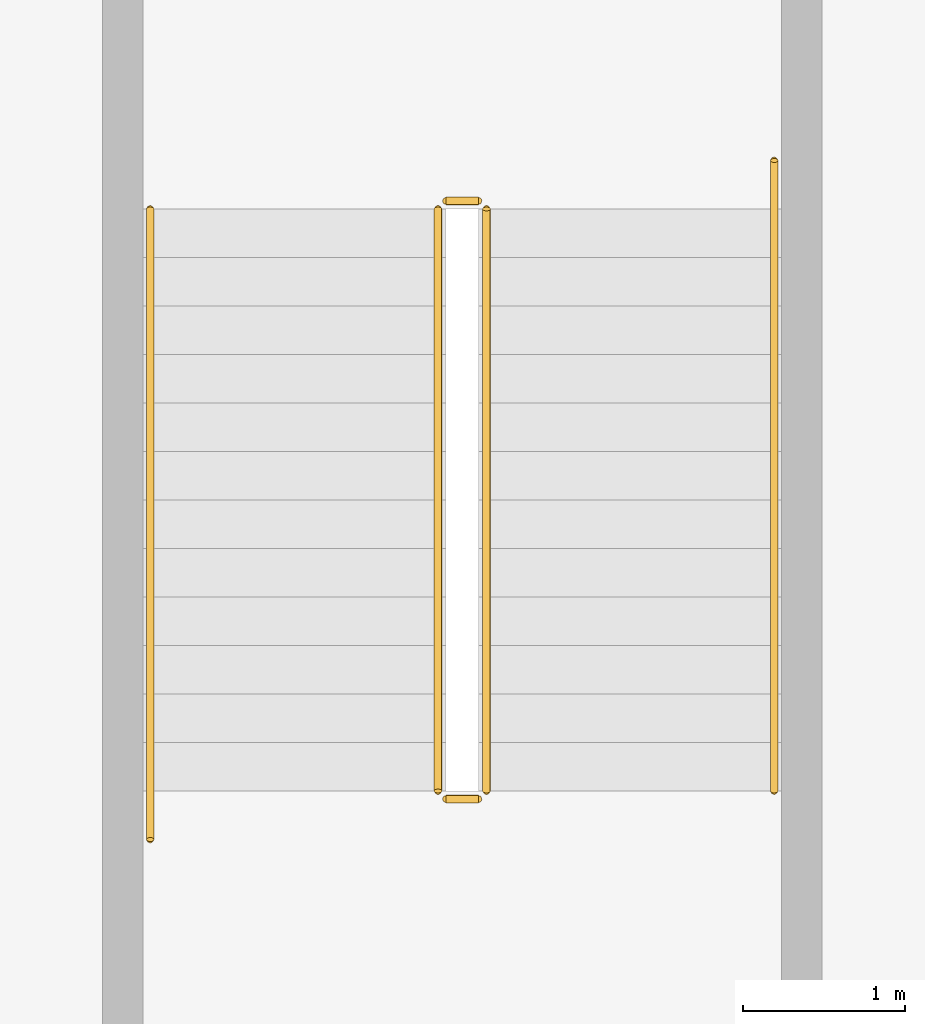
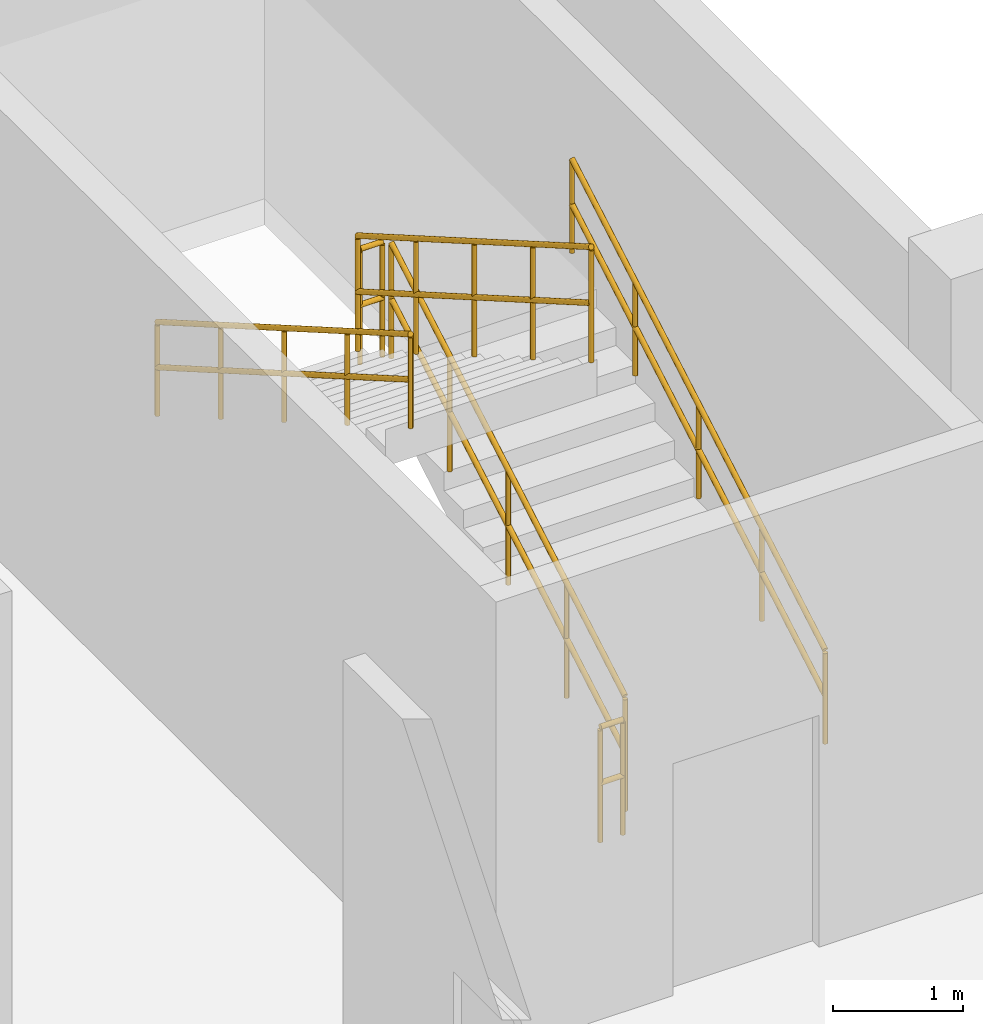
# One storey, part 53 of 54: 6 railings.
"""IFC4 building model written with IfcOpenShell, lengths in metres."""

from ifc_helpers import new_model, si_unit, direction, frame, origin, origin_2d, place, context, subcontext, project, spatial, circle, extrude, material, type_object, element, save


model = new_model("IFC4")

# Units and contexts
model_context = context("Model", 3, precision=1e-05, world=origin(), true_north=direction((0.0, 1.0)))
body_context = subcontext(model_context, "Body", "Model", "MODEL_VIEW")
ifc_project = project(units=[si_unit("LENGTHUNIT", "METRE"), si_unit("AREAUNIT", "SQUARE_METRE"), si_unit("VOLUMEUNIT", "CUBIC_METRE"), si_unit("PLANEANGLEUNIT", "RADIAN"), si_unit("MASSUNIT", "GRAM", prefix="KILO")], contexts=[model_context])

# Site, building, storey
site_placement = place(None, origin())
site = spatial("IfcSite", under=ifc_project, at=site_placement, CompositionType="ELEMENT")
building_placement = place(site_placement, origin())
building = spatial("IfcBuilding", under=site, at=building_placement, Name="Marnock Terrace Opera House", CompositionType="ELEMENT")
storey_placement = place(building_placement, frame((0.0, 0.0, 19.199951171875)))
storey = spatial("IfcBuildingStorey", under=building, at=storey_placement, Name="L04", CompositionType="ELEMENT", Elevation=19.199951171875)

# Railings
ifc_material = material(Name="Architectural bronze balustrade")
railing_type_1 = type_object("IfcRailingType", Name="RL-GUARD-1100", PredefinedType="GUARDRAIL", material=ifc_material)
railing_1_placement = place(storey_placement, frame((105.85009765625, 74.800048828125, 0.173095703125)))
element("IfcRailing", 1, at=railing_1_placement, inside=storey, type_object=railing_type_1, Name="L04 ST-04 stair guard 1", PredefinedType="GUARDRAIL", context=body_context, shape_type="SweptSolid", body=[
    extrude(circle(Radius=0.02392578125, at=origin_2d()), frame((0.0, 0.0, 1.076171875), z_axis=(0.0, 0.866178740119, 0.499734319579), x_axis=(-1.0, 0.0, 0.0)), (0.0, 0.0, 1.0), 4.156005859375),
    extrude(circle(Radius=0.02392578125, at=origin_2d()), frame((0.0, 0.0, 0.550048828125), z_axis=(0.0, 0.866178740119, 0.499734319579), x_axis=(-1.0, 0.0, 0.0)), (0.0, 0.0, 1.0), 4.156005859375),
    extrude(circle(Radius=0.02099609375, at=origin_2d()), origin(), (0.0, 0.0, 1.0), 1.052001953125),
    extrude(circle(Radius=0.02099609375, at=origin_2d()), frame((0.0, 0.89990234375, 0.519287109375)), (0.0, 0.0, 1.0), 1.052001953125),
    extrude(circle(Radius=0.02099609375, at=origin_2d()), frame((0.0, 1.7998046875, 1.03857421875)), (0.0, 0.0, 1.0), 1.052001953125),
    extrude(circle(Radius=0.02099609375, at=origin_2d()), frame((0.0, 2.699951171875, 1.5576171875)), (0.0, 0.0, 1.0), 1.052001953125),
    extrude(circle(Radius=0.02099609375, at=origin_2d()), frame((0.0, 3.599853515625, 2.076904296875)), (0.0, 0.0, 1.0), 1.052001953125),
])
railing_2_placement = place(storey_placement, frame((105.800048828125, 78.449951171875, 2.25)))
element("IfcRailing", 2, at=railing_2_placement, inside=storey, type_object=railing_type_1, Name="L04 ST-04 stair guard 2", PredefinedType="GUARDRAIL", context=body_context, shape_type="SweptSolid", body=[
    extrude(circle(Radius=0.02392578125, at=origin_2d()), frame((0.0, 0.0, 1.076171875), z_axis=(-1.0, 0.0, 0.0), x_axis=(0.0, -1.0, 0.0)), (0.0, 0.0, 1.0), 0.199951171875),
    extrude(circle(Radius=0.02392578125, at=origin_2d()), frame((0.0, 0.0, 0.550048828125), z_axis=(-1.0, 0.0, 0.0), x_axis=(0.0, -1.0, 0.0)), (0.0, 0.0, 1.0), 0.199951171875),
    extrude(circle(Radius=0.02099609375, at=origin_2d()), origin(), (0.0, 0.0, 1.0), 1.052001953125),
    extrude(circle(Radius=0.02099609375, at=origin_2d()), frame((-0.199951171875, 0.0, 0.0)), (0.0, 0.0, 1.0), 1.052001953125),
])
railing_3_placement = place(storey_placement, frame((105.550048828125, 78.39990234375, 2.423095703125)))
element("IfcRailing", 3, at=railing_3_placement, inside=storey, type_object=railing_type_1, Name="L04 ST-04 stair guard 3", PredefinedType="GUARDRAIL", context=body_context, shape_type="SweptSolid", body=[
    extrude(circle(Radius=0.02392578125, at=origin_2d()), frame((0.0, 0.0, 1.076171875), z_axis=(0.0, -0.866178740119, 0.499734319579), x_axis=(1.0, 0.0, 0.0)), (0.0, 0.0, 1.0), 4.156005859375),
    extrude(circle(Radius=0.02392578125, at=origin_2d()), frame((0.0, 0.0, 0.550048828125), z_axis=(0.0, -0.866178740119, 0.499734319579), x_axis=(1.0, 0.0, 0.0)), (0.0, 0.0, 1.0), 4.156005859375),
    extrude(circle(Radius=0.02099609375, at=origin_2d()), origin(), (0.0, 0.0, 1.0), 1.052001953125),
    extrude(circle(Radius=0.02099609375, at=origin_2d()), frame((0.0, -0.89990234375, 0.519287109375)), (0.0, 0.0, 1.0), 1.052001953125),
    extrude(circle(Radius=0.02099609375, at=origin_2d()), frame((0.0, -1.7998046875, 1.03857421875)), (0.0, 0.0, 1.0), 1.052001953125),
    extrude(circle(Radius=0.02099609375, at=origin_2d()), frame((0.0, -2.699951171875, 1.5576171875)), (0.0, 0.0, 1.0), 1.052001953125),
    extrude(circle(Radius=0.02099609375, at=origin_2d()), frame((0.0, -3.599853515625, 2.076904296875)), (0.0, 0.0, 1.0), 1.052001953125),
])
railing_4_placement = place(storey_placement, frame((105.800048828125, 74.75, 0.0)))
element("IfcRailing", 4, at=railing_4_placement, inside=storey, type_object=railing_type_1, Name="L04 ST-04 stair guard 4", PredefinedType="GUARDRAIL", context=body_context, shape_type="SweptSolid", body=[
    extrude(circle(Radius=0.02392578125, at=origin_2d()), frame((0.0, 0.0, 1.076171875), z_axis=(-1.0, 0.0, 0.0), x_axis=(0.0, -1.0, 0.0)), (0.0, 0.0, 1.0), 0.199951171875),
    extrude(circle(Radius=0.02392578125, at=origin_2d()), frame((0.0, 0.0, 0.550048828125), z_axis=(-1.0, 0.0, 0.0), x_axis=(0.0, -1.0, 0.0)), (0.0, 0.0, 1.0), 0.199951171875),
    extrude(circle(Radius=0.02099609375, at=origin_2d()), origin(), (0.0, 0.0, 1.0), 1.052001953125),
    extrude(circle(Radius=0.02099609375, at=origin_2d()), frame((-0.199951171875, 0.0, 0.0)), (0.0, 0.0, 1.0), 1.052001953125),
])
railing_type_2 = type_object("IfcRailingType", Name="RL-HAND-900", PredefinedType="HANDRAIL", material=ifc_material)
railing_5_placement = place(storey_placement, frame((107.6298828125, 74.800048828125, 0.18505859375)))
element("IfcRailing", 5, at=railing_5_placement, inside=storey, type_object=railing_type_2, Name="L04 ST-04 stair handrail 1", PredefinedType="HANDRAIL", context=body_context, shape_type="SweptSolid", body=[
    extrude(circle(Radius=0.02392578125, at=origin_2d()), frame((0.0, 0.0, 0.8759765625), z_axis=(0.0, 0.866180169578, 0.49973184192), x_axis=(-1.0, 0.0, 0.0)), (0.0, 0.0, 1.0), 4.50244140625),
    extrude(circle(Radius=0.02392578125, at=origin_2d()), frame((0.0, 0.0, 0.449951171875), z_axis=(0.0, 0.866180169578, 0.49973184192), x_axis=(-1.0, 0.0, 0.0)), (0.0, 0.0, 1.0), 4.50244140625),
    extrude(circle(Radius=0.02099609375, at=origin_2d()), origin(), (0.0, 0.0, 1.0), 0.851806640625),
    extrude(circle(Radius=0.02099609375, at=origin_2d()), frame((0.0, 0.97509765625, 0.5625)), (0.0, 0.0, 1.0), 0.851806640625),
    extrude(circle(Radius=0.02099609375, at=origin_2d()), frame((0.0, 1.949951171875, 1.125)), (0.0, 0.0, 1.0), 0.851806640625),
    extrude(circle(Radius=0.02099609375, at=origin_2d()), frame((0.0, 2.9248046875, 1.6875)), (0.0, 0.0, 1.0), 0.851806640625),
    extrude(circle(Radius=0.02099609375, at=origin_2d()), frame((0.0, 3.89990234375, 2.25)), (0.0, 0.0, 1.0), 0.851806640625),
])
railing_6_placement = place(storey_placement, frame((103.77001953125, 78.39990234375, 2.43505859375)))
element("IfcRailing", 6, at=railing_6_placement, inside=storey, type_object=railing_type_2, Name="L04 ST-04 stair handrail 2", PredefinedType="HANDRAIL", context=body_context, shape_type="SweptSolid", body=[
    extrude(circle(Radius=0.02392578125, at=origin_2d()), frame((0.0, 0.0, 0.8759765625), z_axis=(0.0, -0.866180169578, 0.49973184192), x_axis=(1.0, 0.0, 0.0)), (0.0, 0.0, 1.0), 4.50244140625),
    extrude(circle(Radius=0.02392578125, at=origin_2d()), frame((0.0, 0.0, 0.449951171875), z_axis=(0.0, -0.866180169578, 0.49973184192), x_axis=(1.0, 0.0, 0.0)), (0.0, 0.0, 1.0), 4.50244140625),
    extrude(circle(Radius=0.02099609375, at=origin_2d()), origin(), (0.0, 0.0, 1.0), 0.851806640625),
    extrude(circle(Radius=0.02099609375, at=origin_2d()), frame((0.0, -0.97509765625, 0.5625)), (0.0, 0.0, 1.0), 0.851806640625),
    extrude(circle(Radius=0.02099609375, at=origin_2d()), frame((0.0, -1.949951171875, 1.125)), (0.0, 0.0, 1.0), 0.851806640625),
    extrude(circle(Radius=0.02099609375, at=origin_2d()), frame((0.0, -2.9248046875, 1.6875)), (0.0, 0.0, 1.0), 0.851806640625),
    extrude(circle(Radius=0.02099609375, at=origin_2d()), frame((0.0, -3.89990234375, 2.25)), (0.0, 0.0, 1.0), 0.851806640625),
])

save(model, "model.ifc")
